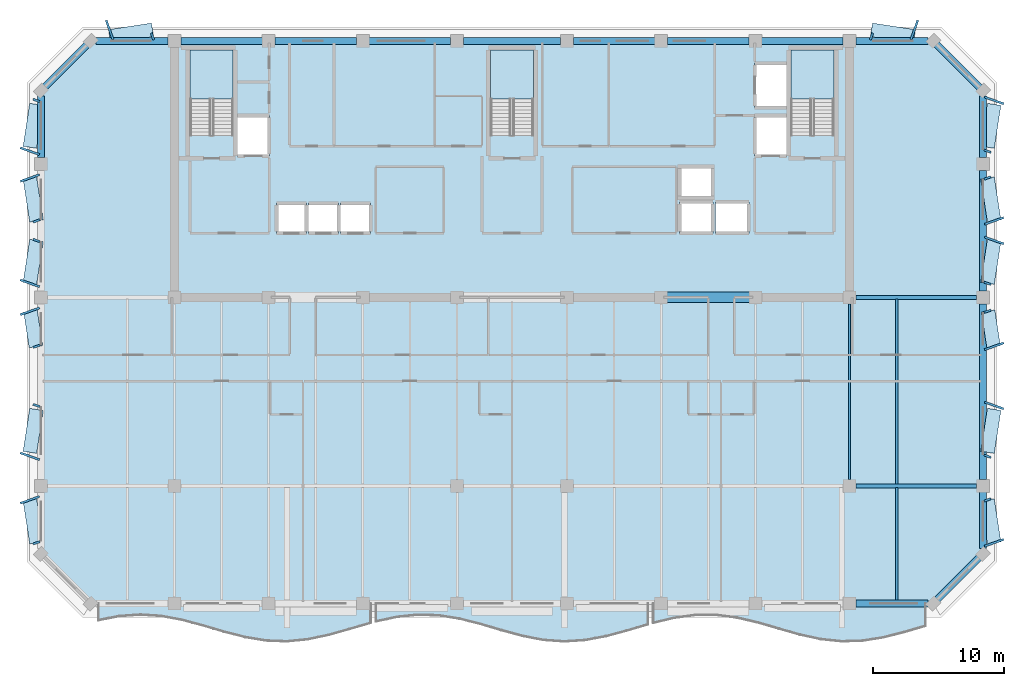
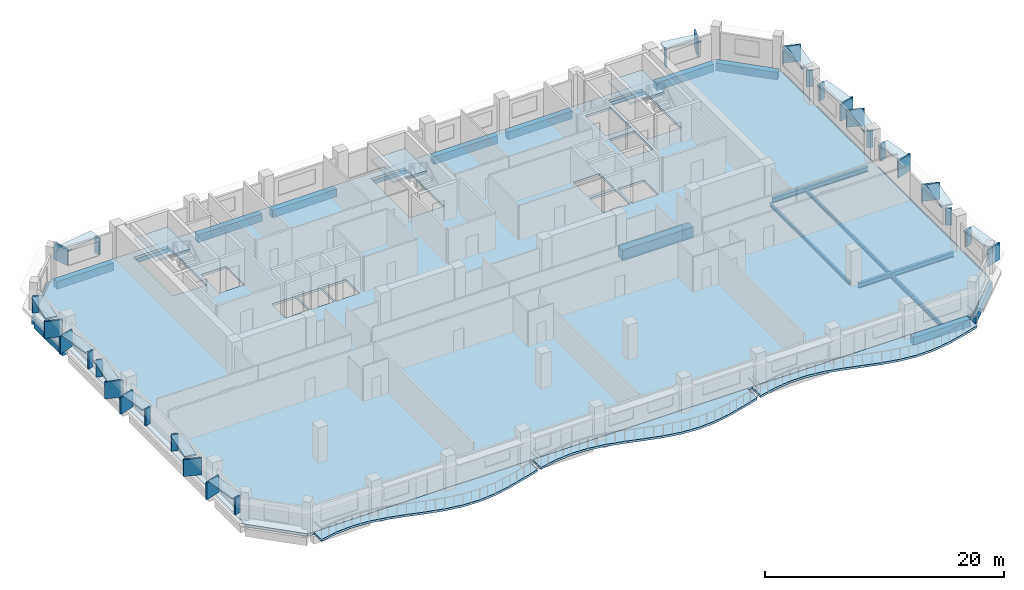
# One storey, part 2 of 11: 42 plates, 24 beams, 7 slabs, 3 elements without a shape of their own.
"""IFC4 building model written with IfcOpenShell, lengths in metres."""

from ifc_helpers import new_model, si_unit, direction, frame, origin, origin_2d, place, context, subcontext, project, spatial, polyline, rectangle, i_section, outline, extrude, material, layer, layer_set, material_profile, profile_set, type_object, element, aggregate, save


model = new_model("IFC4")

# Units and contexts
model_context = context("Model", 3, precision=1e-05, world=origin(), true_north=direction((0.0, 1.0)))
body_context = subcontext(model_context, "Body", "Model", "MODEL_VIEW")
ifc_project = project(units=[si_unit("LENGTHUNIT", "METRE"), si_unit("AREAUNIT", "SQUARE_METRE"), si_unit("VOLUMEUNIT", "CUBIC_METRE"), si_unit("PLANEANGLEUNIT", "RADIAN"), si_unit("MASSUNIT", "GRAM", prefix="KILO")], contexts=[model_context])

# Site, building, storey
site_placement = place(None, origin())
site = spatial("IfcSite", under=ifc_project, at=site_placement, CompositionType="ELEMENT")
building_placement = place(site_placement, origin())
building = spatial("IfcBuilding", under=site, at=building_placement, Name="Kaelvorn Grand Hotel", CompositionType="ELEMENT")
storey_placement = place(building_placement, frame((0.0, 0.0, 276.550048828125)))
storey = spatial("IfcBuildingStorey", under=building, at=storey_placement, Name="L68", CompositionType="ELEMENT", Elevation=276.550048828125)

# Beams
ifc_material_1 = material(Name="Steel S355", Category="steel")
ifc_material_profile_1 = material_profile(ifc_material_1, i_section(OverallWidth=0.300048828125, OverallDepth=0.5, WebThickness=0.014404296875, FlangeThickness=0.028076171875, FilletRadius=0.027099609375, at=origin_2d()), Name="HEB 500")
ifc_profile_set_1 = profile_set([ifc_material_profile_1], Name="Steel S355")
beam_type_1 = type_object("IfcBeamType", Name="BM-G-HEB500-S355", PredefinedType="BEAM", material=ifc_profile_set_1)
for number, where, z_axis, x_axis, name in (
    (1, (68.284912109375, 15.0, -0.489990234375), (1.0, 0.0, 0.0), (0.0, 1.0, 0.0), "L68 Primary Spine Steel Girder G-15 05"),
    (2, (68.284912109375, 29.39990234375, -0.489990234375), (1.0, 0.0, 0.0), (0.0, 1.0, 0.0), "L68 East Core Wing Steel Girder G-29E 01"),
):
    element("IfcBeam", number, at=place(storey_placement, frame(where, z_axis=z_axis, x_axis=x_axis)), inside=storey, type_object=beam_type_1, Name=name, PredefinedType="BEAM", context=body_context, shape_type="SweptSolid", body=[
        extrude(i_section(OverallWidth=0.300048828125, OverallDepth=0.5, WebThickness=0.014404296875, FlangeThickness=0.028076171875, FilletRadius=0.027099609375, at=origin_2d()), origin(), (0.0, 0.0, 1.0), 9.22998046875),
    ])
ifc_material_profile_2 = material_profile(ifc_material_1, i_section(OverallWidth=0.169921875, OverallDepth=0.360107421875, WebThickness=0.008056640625, FlangeThickness=0.0126953125, FilletRadius=0.01806640625, at=origin_2d()), Name="IPE 360")
ifc_profile_set_2 = profile_set([ifc_material_profile_2], Name="Steel S355")
beam_type_2 = type_object("IfcBeamType", Name="BM-J-IPE360-S355", PredefinedType="JOIST", material=ifc_profile_set_2)
beam_1_placement = place(storey_placement, frame((67.800048828125, 15.485107421875, -0.420166015625), z_axis=(0.0, 1.0, 0.0), x_axis=(-1.0, 0.0, 0.0)))
element("IfcBeam", 3, at=beam_1_placement, inside=storey, type_object=beam_type_2, Name="L68 Composite Floor Joist JM-19", PredefinedType="JOIST", context=body_context, shape_type="SweptSolid", body=[
    extrude(i_section(OverallWidth=0.169921875, OverallDepth=0.360107421875, WebThickness=0.008056640625, FlangeThickness=0.0126953125, FilletRadius=0.01806640625, at=origin_2d()), origin(), (0.0, 0.0, 1.0), 13.429931640625),
])
beam_2_placement = place(storey_placement, frame((71.39990234375, 15.135009765625, -0.420166015625), z_axis=(0.0, 1.0, 0.0), x_axis=(-1.0, 0.0, 0.0)))
element("IfcBeam", 4, at=beam_2_placement, inside=storey, type_object=beam_type_2, Name="L68 Composite Floor Joist JM-20", PredefinedType="JOIST", context=body_context, shape_type="SweptSolid", body=[
    extrude(i_section(OverallWidth=0.169921875, OverallDepth=0.360107421875, WebThickness=0.008056640625, FlangeThickness=0.0126953125, FilletRadius=0.01806640625, at=origin_2d()), origin(), (0.0, 0.0, 1.0), 14.1298828125),
])
ifc_material_profile_3 = material_profile(ifc_material_1, i_section(OverallWidth=0.18994140625, OverallDepth=0.449951171875, WebThickness=0.009521484375, FlangeThickness=0.0146484375, FilletRadius=0.02099609375, at=origin_2d()), Name="IPE 450")
ifc_profile_set_3 = profile_set([ifc_material_profile_3], Name="Steel S355")
beam_type_3 = type_object("IfcBeamType", Name="BM-J-IPE450-S355", PredefinedType="JOIST", material=ifc_profile_set_3)
beam_3_placement = place(storey_placement, frame((71.39990234375, 6.260009765625, -0.465087890625), z_axis=(0.0, 1.0, 0.0), x_axis=(-1.0, 0.0, 0.0)))
element("IfcBeam", 5, at=beam_3_placement, inside=storey, type_object=beam_type_3, Name="L68 Composite Floor Joist JS-20", PredefinedType="JOIST", context=body_context, shape_type="SweptSolid", body=[
    extrude(i_section(OverallWidth=0.18994140625, OverallDepth=0.449951171875, WebThickness=0.009521484375, FlangeThickness=0.0146484375, FilletRadius=0.02099609375, at=origin_2d()), origin(), (0.0, 0.0, 1.0), 8.60498046875),
])
ifc_material_2 = material(Name="Concrete C60/75", Category="concrete")
ifc_material_profile_4 = material_profile(ifc_material_2, rectangle(XDim=0.800048828125, YDim=1.10009765625, at=origin_2d()), Name="RC LINTEL 800x1100")
ifc_profile_set_4 = profile_set([ifc_material_profile_4], Name="Concrete C60/75")
beam_type_4 = type_object("IfcBeamType", Name="BM-LIN-800x1100-C60", PredefinedType="LINTEL", material=ifc_profile_set_4)
beam_4_placement = place(storey_placement, frame((53.580078125, 29.39990234375, -0.7900390625), z_axis=(1.0, 0.0, 0.0), x_axis=(0.0, 1.0, 0.0)))
element("IfcBeam", 6, at=beam_4_placement, inside=storey, type_object=beam_type_4, Name="L68 Rear-Core Coupling Lintel Beam CB1-03", PredefinedType="LINTEL", context=body_context, shape_type="SweptSolid", body=[
    extrude(rectangle(XDim=0.800048828125, YDim=1.10009765625, at=origin_2d()), origin(), (0.0, 0.0, 1.0), 6.83984375),
])
ifc_material_3 = material(Name="Concrete C50/60", Category="concrete")
ifc_material_profile_5 = material_profile(ifc_material_3, rectangle(XDim=0.550048828125, YDim=0.800048828125, at=origin_2d()), Name="RC SPANDREL 550x800")
ifc_profile_set_5 = profile_set([ifc_material_profile_5], Name="Concrete C50/60")
beam_type_5 = type_object("IfcBeamType", Name="BM-SP-550x800-C50", PredefinedType="SPANDREL", material=ifc_profile_set_5)
for number, where, z_axis, x_axis, name in (
    (7, (68.284912109375, 6.0, -0.64013671875), (1.0, 0.0, 0.0), (0.0, 1.0, 0.0), "L68 South Perimeter Spandrel 09"),
    (8, (10.205078125, 49.0, -0.64013671875), (1.0, 0.0, 0.0), (0.0, 1.0, 0.0), "L68 North Perimeter Spandrel 01"),
):
    element("IfcBeam", number, at=place(storey_placement, frame(where, z_axis=z_axis, x_axis=x_axis)), inside=storey, type_object=beam_type_5, Name=name, PredefinedType="SPANDREL", context=body_context, shape_type="SweptSolid", body=[
        extrude(rectangle(XDim=0.550048828125, YDim=0.800048828125, at=origin_2d()), origin(), (0.0, 0.0, 1.0), 5.510009765625),
    ])
for number, where, z_axis, x_axis, name in (
    (9, (16.68505859375, 49.0, -0.64013671875), (1.0, 0.0, 0.0), (0.0, 1.0, 0.0), "L68 North Perimeter Spandrel 02"),
    (10, (23.885009765625, 49.0, -0.64013671875), (1.0, 0.0, 0.0), (0.0, 1.0, 0.0), "L68 North Perimeter Spandrel 03"),
    (11, (31.0849609375, 49.0, -0.64013671875), (1.0, 0.0, 0.0), (0.0, 1.0, 0.0), "L68 North Perimeter Spandrel 04"),
):
    element("IfcBeam", number, at=place(storey_placement, frame(where, z_axis=z_axis, x_axis=x_axis)), inside=storey, type_object=beam_type_5, Name=name, PredefinedType="SPANDREL", context=body_context, shape_type="SweptSolid", body=[
        extrude(rectangle(XDim=0.550048828125, YDim=0.800048828125, at=origin_2d()), origin(), (0.0, 0.0, 1.0), 6.22998046875),
    ])
beam_5_placement = place(storey_placement, frame((38.284912109375, 49.0, -0.64013671875), z_axis=(1.0, 0.0, 0.0), x_axis=(0.0, 1.0, 0.0)))
element("IfcBeam", 12, at=beam_5_placement, inside=storey, type_object=beam_type_5, Name="L68 North Perimeter Spandrel 05", PredefinedType="SPANDREL", context=body_context, shape_type="SweptSolid", body=[
    extrude(rectangle(XDim=0.550048828125, YDim=0.800048828125, at=origin_2d()), origin(), (0.0, 0.0, 1.0), 7.43017578125),
])
for number, where, z_axis, x_axis, name in (
    (13, (46.68505859375, 49.0, -0.64013671875), (1.0, 0.0, 0.0), (0.0, 1.0, 0.0), "L68 North Perimeter Spandrel 06"),
    (14, (53.885009765625, 49.0, -0.64013671875), (1.0, 0.0, 0.0), (0.0, 1.0, 0.0), "L68 North Perimeter Spandrel 07"),
    (15, (61.0849609375, 49.0, -0.64013671875), (1.0, 0.0, 0.0), (0.0, 1.0, 0.0), "L68 North Perimeter Spandrel 08"),
):
    element("IfcBeam", number, at=place(storey_placement, frame(where, z_axis=z_axis, x_axis=x_axis)), inside=storey, type_object=beam_type_5, Name=name, PredefinedType="SPANDREL", context=body_context, shape_type="SweptSolid", body=[
        extrude(rectangle(XDim=0.550048828125, YDim=0.800048828125, at=origin_2d()), origin(), (0.0, 0.0, 1.0), 6.22998046875),
    ])
beam_6_placement = place(storey_placement, frame((68.284912109375, 49.0, -0.64013671875), z_axis=(1.0, 0.0, 0.0), x_axis=(0.0, 1.0, 0.0)))
element("IfcBeam", 16, at=beam_6_placement, inside=storey, type_object=beam_type_5, Name="L68 North Perimeter Spandrel 09", PredefinedType="SPANDREL", context=body_context, shape_type="SweptSolid", body=[
    extrude(rectangle(XDim=0.550048828125, YDim=0.800048828125, at=origin_2d()), origin(), (0.0, 0.0, 1.0), 5.510009765625),
])
beam_7_placement = place(storey_placement, frame((6.0, 40.0849609375, -0.64013671875), z_axis=(0.0, 1.0, 0.0), x_axis=(-1.0, 0.0, 0.0)))
element("IfcBeam", 17, at=beam_7_placement, inside=storey, type_object=beam_type_5, Name="L68 West Perimeter Spandrel 04", PredefinedType="SPANDREL", context=body_context, shape_type="SweptSolid", body=[
    extrude(rectangle(XDim=0.550048828125, YDim=0.800048828125, at=origin_2d()), origin(), (0.0, 0.0, 1.0), 4.7099609375),
])
beam_8_placement = place(storey_placement, frame((78.0, 10.205078125, -0.64013671875), z_axis=(0.0, 1.0, 0.0), x_axis=(-1.0, 0.0, 0.0)))
element("IfcBeam", 18, at=beam_8_placement, inside=storey, type_object=beam_type_5, Name="L68 East Perimeter Spandrel 01", PredefinedType="SPANDREL", context=body_context, shape_type="SweptSolid", body=[
    extrude(rectangle(XDim=0.550048828125, YDim=0.800048828125, at=origin_2d()), origin(), (0.0, 0.0, 1.0), 4.309814453125),
])
beam_9_placement = place(storey_placement, frame((78.0, 15.485107421875, -0.64013671875), z_axis=(0.0, 1.0, 0.0), x_axis=(-1.0, 0.0, 0.0)))
element("IfcBeam", 19, at=beam_9_placement, inside=storey, type_object=beam_type_5, Name="L68 East Perimeter Spandrel 02", PredefinedType="SPANDREL", context=body_context, shape_type="SweptSolid", body=[
    extrude(rectangle(XDim=0.550048828125, YDim=0.800048828125, at=origin_2d()), origin(), (0.0, 0.0, 1.0), 13.429931640625),
])
beam_10_placement = place(storey_placement, frame((78.0, 29.885009765625, -0.64013671875), z_axis=(0.0, 1.0, 0.0), x_axis=(-1.0, 0.0, 0.0)))
element("IfcBeam", 20, at=beam_10_placement, inside=storey, type_object=beam_type_5, Name="L68 East Perimeter Spandrel 03", PredefinedType="SPANDREL", context=body_context, shape_type="SweptSolid", body=[
    extrude(rectangle(XDim=0.550048828125, YDim=0.800048828125, at=origin_2d()), origin(), (0.0, 0.0, 1.0), 9.22998046875),
])
beam_11_placement = place(storey_placement, frame((78.0, 40.0849609375, -0.64013671875), z_axis=(0.0, 1.0, 0.0), x_axis=(-1.0, 0.0, 0.0)))
element("IfcBeam", 21, at=beam_11_placement, inside=storey, type_object=beam_type_5, Name="L68 East Perimeter Spandrel 04", PredefinedType="SPANDREL", context=body_context, shape_type="SweptSolid", body=[
    extrude(rectangle(XDim=0.550048828125, YDim=0.800048828125, at=origin_2d()), origin(), (0.0, 0.0, 1.0), 4.7099609375),
])
for number, where, z_axis, x_axis, name in (
    (22, (74.199951171875, 6.0, -0.64013671875), (0.707106781187, 0.707106781187, 0.0), (-0.707106781187, 0.707106781187, 0.0), "L68 Chamfer Spandrel Beam 1"),
    (23, (78.0, 45.199951171875, -0.64013671875), (-0.707106781187, 0.707106781187, 0.0), (-0.707106781187, -0.707106781187, 0.0), "L68 Chamfer Spandrel Beam 2"),
    (24, (9.800048828125, 49.0, -0.64013671875), (-0.707106781187, -0.707106781187, 0.0), (0.707106781187, -0.707106781187, 0.0), "L68 Chamfer Spandrel Beam 3"),
):
    element("IfcBeam", number, at=place(storey_placement, frame(where, z_axis=z_axis, x_axis=x_axis)), inside=storey, type_object=beam_type_5, Name=name, PredefinedType="SPANDREL", context=body_context, shape_type="SweptSolid", body=[
        extrude(rectangle(XDim=0.550048828125, YDim=0.800048828125, at=origin_2d()), origin(), (0.0, 0.0, 1.0), 5.3740234375),
    ])

# Plates
ifc_material_4 = material(Name="Precast concrete C45/55", Category="concrete")
ifc_layer_1 = layer(ifc_material_4, 0.159912109375)
ifc_layer_set_1 = layer_set([ifc_layer_1], Name="Precast concrete C45/55")
plate_type_1 = type_object("IfcPlateType", Name="PL-FRAME-DEEP-1550", PredefinedType="USERDEFINED", material=ifc_layer_set_1)
for number, where, z_axis, x_axis, name in (
    (25, (78.844970703125, 10.64501953125, 0.73974609375), (0.0, 0.0, 1.0), (-0.333806859234, 0.942641491092, 0.0), "L68 Tilted Precast Window Frame Fin L-E01"),
    (26, (78.844970703125, 21.139892578125, 0.81494140625), (0.0, 0.0, 1.0), (0.333806859234, 0.942641491092, 0.0), "L68 Tilted Precast Window Frame Fin R-E02"),
    (27, (78.844970703125, 25.659912109375, 0.73974609375), (0.0, 0.0, 1.0), (-0.333806859234, 0.942641491092, 0.0), "L68 Tilted Precast Window Frame Fin L-E03"),
    (28, (78.844970703125, 33.7548828125, 0.73974609375), (0.0, 0.0, 1.0), (0.333806859234, 0.942641491092, 0.0), "L68 Tilted Precast Window Frame Fin R-E04"),
    (29, (78.844970703125, 35.2451171875, 0.73974609375), (0.0, 0.0, 1.0), (-0.333806859234, 0.942641491092, 0.0), "L68 Tilted Precast Window Frame Fin L-E05"),
    (30, (78.844970703125, 44.455078125, 0.81494140625), (0.0, 0.0, 1.0), (0.333806859234, 0.942641491092, 0.0), "L68 Tilted Precast Window Frame Fin R-E06"),
    (31, (5.155029296875, 13.925048828125, 0.73974609375), (0.0, 0.0, 1.0), (-0.333806859234, 0.942641491092, 0.0), "L68 Tilted Precast Window Frame Fin R-W01"),
    (32, (5.155029296875, 17.260009765625, 0.81494140625), (0.0, 0.0, 1.0), (0.333806859234, 0.942641491092, 0.0), "L68 Tilted Precast Window Frame Fin L-W02"),
    (33, (5.155029296875, 28.340087890625, 0.73974609375), (0.0, 0.0, 1.0), (-0.333806859234, 0.942641491092, 0.0), "L68 Tilted Precast Window Frame Fin R-W03"),
    (34, (5.155029296875, 30.47509765625, 0.73974609375), (0.0, 0.0, 1.0), (0.333806859234, 0.942641491092, 0.0), "L68 Tilted Precast Window Frame Fin L-W04"),
    (35, (5.155029296875, 38.52490234375, 0.73974609375), (0.0, 0.0, 1.0), (-0.333806859234, 0.942641491092, 0.0), "L68 Tilted Precast Window Frame Fin R-W05"),
    (36, (5.155029296875, 40.574951171875, 0.81494140625), (0.0, 0.0, 1.0), (0.333806859234, 0.942641491092, 0.0), "L68 Tilted Precast Window Frame Fin L-W06"),
    (37, (11.2451171875, 49.844970703125, 0.73974609375), (0.0, 0.0, 1.0), (0.942641491092, 0.333806859234, 0.0), "L68 Tilted Precast Window Frame Fin L-N01"),
    (38, (72.7548828125, 49.844970703125, 0.73974609375), (0.0, 0.0, 1.0), (0.942641491092, -0.333806859234, 0.0), "L68 Tilted Precast Window Frame Fin R-N02"),
):
    element("IfcPlate", number, at=place(storey_placement, frame(where, z_axis=z_axis, x_axis=x_axis)), inside=storey, type_object=plate_type_1, Name=name, ObjectType="FLANGE_PLATE", PredefinedType="USERDEFINED", context=body_context, shape_type="SweptSolid", body=[
        extrude(rectangle(XDim=0.159912109375, YDim=1.550048828125, at=origin_2d()), origin(), (0.0, 0.0, 1.0), 1.719970703125),
    ])
ifc_layer_2 = layer(ifc_material_4, 0.159912109375)
ifc_layer_set_2 = layer_set([ifc_layer_2], Name="Precast concrete C45/55")
plate_type_2 = type_object("IfcPlateType", Name="PL-FRAME-HEAD-1050", PredefinedType="USERDEFINED", material=ifc_layer_set_2)
for number, where, z_axis, x_axis, name in (
    (39, (78.594970703125, 12.284912109375, 2.35009765625), (0.0, 0.0, 1.0), (-0.152554625759, 0.988295040036, 0.0), "L68 Precast Window Frame Head Hood H-E01"),
    (40, (78.594970703125, 19.199951171875, 2.5), (0.0, 0.0, 1.0), (0.152554625759, 0.988295040036, 0.0), "L68 Precast Window Frame Head Hood H-E02"),
):
    element("IfcPlate", number, at=place(storey_placement, frame(where, z_axis=z_axis, x_axis=x_axis)), inside=storey, type_object=plate_type_2, Name=name, ObjectType="FLANGE_PLATE", PredefinedType="USERDEFINED", context=body_context, shape_type="SweptSolid", body=[
        extrude(rectangle(XDim=3.320068359375, YDim=1.050048828125, at=origin_2d()), origin(), (0.0, 0.0, 1.0), 0.159912109375),
    ])
plate_1_placement = place(storey_placement, frame((78.594970703125, 27.0, 2.35009765625), z_axis=(0.0, 0.0, 1.0), x_axis=(-0.152554625759, 0.988295040036, 0.0)))
element("IfcPlate", 41, at=plate_1_placement, inside=storey, type_object=plate_type_2, Name="L68 Precast Window Frame Head Hood H-E03", ObjectType="FLANGE_PLATE", PredefinedType="USERDEFINED", context=body_context, shape_type="SweptSolid", body=[
    extrude(rectangle(XDim=2.760009765625, YDim=1.050048828125, at=origin_2d()), origin(), (0.0, 0.0, 1.0), 0.159912109375),
])
for number, where, z_axis, x_axis, name in (
    (42, (78.594970703125, 32.114990234375, 2.35009765625), (0.0, 0.0, 1.0), (0.152554625759, 0.988295040036, 0.0), "L68 Precast Window Frame Head Hood H-E04"),
    (43, (78.594970703125, 36.885009765625, 2.35009765625), (0.0, 0.0, 1.0), (-0.152554625759, 0.988295040036, 0.0), "L68 Precast Window Frame Head Hood H-E05"),
    (44, (78.594970703125, 42.514892578125, 2.5), (0.0, 0.0, 1.0), (0.152554625759, 0.988295040036, 0.0), "L68 Precast Window Frame Head Hood H-E06"),
    (45, (5.405029296875, 12.284912109375, 2.35009765625), (0.0, 0.0, 1.0), (-0.152554625759, 0.988295040036, 0.0), "L68 Precast Window Frame Head Hood H-W01"),
    (46, (5.405029296875, 19.199951171875, 2.5), (0.0, 0.0, 1.0), (0.152554625759, 0.988295040036, 0.0), "L68 Precast Window Frame Head Hood H-W02"),
):
    element("IfcPlate", number, at=place(storey_placement, frame(where, z_axis=z_axis, x_axis=x_axis)), inside=storey, type_object=plate_type_2, Name=name, ObjectType="FLANGE_PLATE", PredefinedType="USERDEFINED", context=body_context, shape_type="SweptSolid", body=[
        extrude(rectangle(XDim=3.320068359375, YDim=1.050048828125, at=origin_2d()), origin(), (0.0, 0.0, 1.0), 0.159912109375),
    ])
plate_2_placement = place(storey_placement, frame((5.405029296875, 27.0, 2.35009765625), z_axis=(0.0, 0.0, 1.0), x_axis=(-0.152554625759, 0.988295040036, 0.0)))
element("IfcPlate", 47, at=plate_2_placement, inside=storey, type_object=plate_type_2, Name="L68 Precast Window Frame Head Hood H-W03", ObjectType="FLANGE_PLATE", PredefinedType="USERDEFINED", context=body_context, shape_type="SweptSolid", body=[
    extrude(rectangle(XDim=2.760009765625, YDim=1.050048828125, at=origin_2d()), origin(), (0.0, 0.0, 1.0), 0.159912109375),
])
for number, where, z_axis, x_axis, name in (
    (48, (5.405029296875, 32.114990234375, 2.35009765625), (0.0, 0.0, 1.0), (0.152554625759, 0.988295040036, 0.0), "L68 Precast Window Frame Head Hood H-W04"),
    (49, (5.405029296875, 36.885009765625, 2.35009765625), (0.0, 0.0, 1.0), (-0.152554625759, 0.988295040036, 0.0), "L68 Precast Window Frame Head Hood H-W05"),
    (50, (5.405029296875, 42.514892578125, 2.5), (0.0, 0.0, 1.0), (0.152554625759, 0.988295040036, 0.0), "L68 Precast Window Frame Head Hood H-W06"),
    (51, (12.885009765625, 49.594970703125, 2.35009765625), (0.0, 0.0, 1.0), (0.988295040036, 0.152554625759, 0.0), "L68 Precast Window Frame Head Hood H-N01"),
    (52, (71.114990234375, 49.594970703125, 2.35009765625), (0.0, 0.0, 1.0), (0.988295040036, -0.152554625759, 0.0), "L68 Precast Window Frame Head Hood H-N02"),
):
    element("IfcPlate", number, at=place(storey_placement, frame(where, z_axis=z_axis, x_axis=x_axis)), inside=storey, type_object=plate_type_2, Name=name, ObjectType="FLANGE_PLATE", PredefinedType="USERDEFINED", context=body_context, shape_type="SweptSolid", body=[
        extrude(rectangle(XDim=3.320068359375, YDim=1.050048828125, at=origin_2d()), origin(), (0.0, 0.0, 1.0), 0.159912109375),
    ])
ifc_layer_3 = layer(ifc_material_4, 0.159912109375)
ifc_layer_set_3 = layer_set([ifc_layer_3], Name="Precast concrete C45/55")
plate_type_3 = type_object("IfcPlateType", Name="PL-FRAME-SHAL-550", PredefinedType="USERDEFINED", material=ifc_layer_set_3)
for number, where, z_axis, x_axis, name in (
    (53, (78.344970703125, 13.925048828125, 0.73974609375), (0.0, 0.0, 1.0), (-0.333806859234, 0.942641491092, 0.0), "L68 Tilted Precast Window Frame Fin R-E01"),
    (54, (78.344970703125, 17.260009765625, 0.81494140625), (0.0, 0.0, 1.0), (0.333806859234, 0.942641491092, 0.0), "L68 Tilted Precast Window Frame Fin L-E02"),
    (55, (78.344970703125, 28.340087890625, 0.73974609375), (0.0, 0.0, 1.0), (-0.333806859234, 0.942641491092, 0.0), "L68 Tilted Precast Window Frame Fin R-E03"),
    (56, (78.344970703125, 30.47509765625, 0.73974609375), (0.0, 0.0, 1.0), (0.333806859234, 0.942641491092, 0.0), "L68 Tilted Precast Window Frame Fin L-E04"),
    (57, (78.344970703125, 38.52490234375, 0.73974609375), (0.0, 0.0, 1.0), (-0.333806859234, 0.942641491092, 0.0), "L68 Tilted Precast Window Frame Fin R-E05"),
    (58, (78.344970703125, 40.574951171875, 0.81494140625), (0.0, 0.0, 1.0), (0.333806859234, 0.942641491092, 0.0), "L68 Tilted Precast Window Frame Fin L-E06"),
    (59, (5.655029296875, 10.64501953125, 0.73974609375), (0.0, 0.0, 1.0), (-0.333806859234, 0.942641491092, 0.0), "L68 Tilted Precast Window Frame Fin L-W01"),
    (60, (5.655029296875, 21.139892578125, 0.81494140625), (0.0, 0.0, 1.0), (0.333806859234, 0.942641491092, 0.0), "L68 Tilted Precast Window Frame Fin R-W02"),
    (61, (5.655029296875, 25.659912109375, 0.73974609375), (0.0, 0.0, 1.0), (-0.333806859234, 0.942641491092, 0.0), "L68 Tilted Precast Window Frame Fin L-W03"),
    (62, (5.655029296875, 33.7548828125, 0.73974609375), (0.0, 0.0, 1.0), (0.333806859234, 0.942641491092, 0.0), "L68 Tilted Precast Window Frame Fin R-W04"),
    (63, (5.655029296875, 35.2451171875, 0.73974609375), (0.0, 0.0, 1.0), (-0.333806859234, 0.942641491092, 0.0), "L68 Tilted Precast Window Frame Fin L-W05"),
    (64, (5.655029296875, 44.455078125, 0.81494140625), (0.0, 0.0, 1.0), (0.333806859234, 0.942641491092, 0.0), "L68 Tilted Precast Window Frame Fin R-W06"),
    (65, (14.52490234375, 49.344970703125, 0.73974609375), (0.0, 0.0, 1.0), (0.942641491092, 0.333806859234, 0.0), "L68 Tilted Precast Window Frame Fin R-N01"),
    (66, (69.47509765625, 49.344970703125, 0.73974609375), (0.0, 0.0, 1.0), (0.942641491092, -0.333806859234, 0.0), "L68 Tilted Precast Window Frame Fin L-N02"),
):
    element("IfcPlate", number, at=place(storey_placement, frame(where, z_axis=z_axis, x_axis=x_axis)), inside=storey, type_object=plate_type_3, Name=name, ObjectType="FLANGE_PLATE", PredefinedType="USERDEFINED", context=body_context, shape_type="SweptSolid", body=[
        extrude(rectangle(XDim=0.159912109375, YDim=0.550048828125, at=origin_2d()), origin(), (0.0, 0.0, 1.0), 1.719970703125),
    ])

# Slabs
ifc_material_5 = material(Name="Concrete C40/50", Category="concrete")
ifc_layer_4 = layer(ifc_material_5, 0.219970703125)
ifc_layer_set_4 = layer_set([ifc_layer_4], Name="Concrete C40/50")
slab_type_1 = type_object("IfcSlabType", Name="SLB-BALC-220-C40", PredefinedType="FLOOR", material=ifc_layer_set_4)
slab_1_placement = place(storey_placement, frame((0.0, 0.0, -0.219970703125)))
element("IfcSlab", 67, at=slab_1_placement, inside=storey, type_object=slab_type_1, Name="L68 Scalloped Wave Balcony Slab 1", PredefinedType="FLOOR", context=body_context, shape_type="SweptSolid", body=[
    extrude(outline(polyline([(10.39990234375, 4.7275390625), (12.0, 5.03564453125), (13.60009765625, 5.14990234375), (15.199951171875, 5.046142578125), (16.800048828125, 4.74658203125), (18.39990234375, 4.314697265625), (20.0, 3.842529296875), (21.60009765625, 3.430419921875), (23.199951171875, 3.166015625), (24.800048828125, 3.105712890625), (26.39990234375, 3.26220703125), (28.0, 3.602294921875), (29.60009765625, 4.053466796875), (31.199951171875, 4.52001953125), (31.199951171875, 6.0), (10.39990234375, 6.0), (10.39990234375, 4.7275390625)])), origin(), (0.0, 0.0, 1.0), 0.219970703125),
])
slab_2_placement = place(storey_placement, frame((0.0, 0.0, -0.219970703125)))
element("IfcSlab", 68, at=slab_2_placement, inside=storey, type_object=slab_type_1, Name="L68 Scalloped Wave Balcony Slab 2", PredefinedType="FLOOR", context=body_context, shape_type="SweptSolid", body=[
    extrude(outline(polyline([(31.60009765625, 4.627197265625), (33.199951171875, 4.974853515625), (34.800048828125, 5.1416015625), (36.39990234375, 5.09228515625), (38.0, 4.8369140625), (39.60009765625, 4.430419921875), (41.199951171875, 3.958740234375), (42.800048828125, 3.5224609375), (44.39990234375, 3.21435546875), (46.0, 3.10009765625), (47.60009765625, 3.203857421875), (49.199951171875, 3.50341796875), (50.800048828125, 3.935302734375), (52.39990234375, 4.407470703125), (52.39990234375, 6.0), (31.60009765625, 6.0), (31.60009765625, 4.627197265625)])), origin(), (0.0, 0.0, 1.0), 0.219970703125),
])
slab_3_placement = place(storey_placement, frame((0.0, 0.0, -0.219970703125)))
element("IfcSlab", 69, at=slab_3_placement, inside=storey, type_object=slab_type_1, Name="L68 Scalloped Wave Balcony Slab 3", PredefinedType="FLOOR", context=body_context, shape_type="SweptSolid", body=[
    extrude(outline(polyline([(52.800048828125, 4.52001953125), (54.39990234375, 4.902587890625), (56.0, 5.11962890625), (57.60009765625, 5.125), (59.199951171875, 4.917724609375), (60.800048828125, 4.5419921875), (62.39990234375, 4.077392578125), (64.0, 3.622802734375), (65.60009765625, 3.275146484375), (67.199951171875, 3.1083984375), (68.800048828125, 3.15771484375), (70.39990234375, 3.4130859375), (72.0, 3.819580078125), (73.60009765625, 4.291259765625), (73.60009765625, 6.0), (52.800048828125, 6.0), (52.800048828125, 4.52001953125)])), origin(), (0.0, 0.0, 1.0), 0.219970703125),
])
ifc_layer_5 = layer(ifc_material_5, 0.239990234375)
ifc_layer_set_5 = layer_set([ifc_layer_5], Name="Concrete C40/50")
slab_type_2 = type_object("IfcSlabType", Name="SLB-FLR-240-C40", PredefinedType="FLOOR", material=ifc_layer_set_5)
slab_4_placement = place(storey_placement, frame((0.0, 0.0, -0.239990234375)))
element("IfcSlab", 70, at=slab_4_placement, inside=storey, type_object=slab_type_2, Name="L68 Indoor Suspended Floor Slab", PredefinedType="FLOOR", context=body_context, shape_type="SweptSolid", body=[
    extrude(outline(polyline([(9.800048828125, 6.0), (74.199951171875, 6.0), (78.0, 9.800048828125), (78.0, 45.199951171875), (74.199951171875, 49.0), (9.800048828125, 49.0), (6.0, 45.199951171875), (6.0, 9.800048828125), (9.800048828125, 6.0)]), holes=[polyline([(17.39990234375, 41.760009765625), (17.39990234375, 48.300048828125), (20.679931640625, 48.300048828125), (20.679931640625, 41.760009765625), (17.39990234375, 41.760009765625)]), polyline([(40.360107421875, 41.760009765625), (40.360107421875, 48.300048828125), (43.639892578125, 48.300048828125), (43.639892578125, 41.760009765625), (40.360107421875, 41.760009765625)]), polyline([(63.320068359375, 41.760009765625), (63.320068359375, 48.300048828125), (66.60009765625, 48.300048828125), (66.60009765625, 41.760009765625), (63.320068359375, 41.760009765625)]), polyline([(24.0, 34.300048828125), (24.0, 36.60009765625), (26.300048828125, 36.60009765625), (26.300048828125, 34.300048828125), (24.0, 34.300048828125)]), polyline([(26.449951171875, 34.300048828125), (26.449951171875, 36.60009765625), (28.75, 36.60009765625), (28.75, 34.300048828125), (26.449951171875, 34.300048828125)]), polyline([(28.89990234375, 34.300048828125), (28.89990234375, 36.60009765625), (31.199951171875, 36.60009765625), (31.199951171875, 34.300048828125), (28.89990234375, 34.300048828125)]), polyline([(54.800048828125, 34.300048828125), (54.800048828125, 36.699951171875), (57.35009765625, 36.699951171875), (57.35009765625, 34.300048828125), (54.800048828125, 34.300048828125)]), polyline([(57.550048828125, 34.300048828125), (57.550048828125, 36.699951171875), (60.10009765625, 36.699951171875), (60.10009765625, 34.300048828125), (57.550048828125, 34.300048828125)]), polyline([(54.800048828125, 37.0), (54.800048828125, 39.39990234375), (57.35009765625, 39.39990234375), (57.35009765625, 37.0), (54.800048828125, 37.0)]), polyline([(21.0, 40.199951171875), (21.0, 43.300048828125), (23.449951171875, 43.300048828125), (23.449951171875, 40.199951171875), (21.0, 40.199951171875)]), polyline([(60.550048828125, 40.199951171875), (60.550048828125, 43.300048828125), (63.0, 43.300048828125), (63.0, 40.199951171875), (60.550048828125, 40.199951171875)]), polyline([(60.550048828125, 43.89990234375), (60.550048828125, 47.300048828125), (63.0, 47.300048828125), (63.0, 43.89990234375), (60.550048828125, 43.89990234375)])]), origin(), (0.0, 0.0, 1.0), 0.239990234375),
])

# Stair, slab
stair_type = type_object("IfcStairType", Name="STR-DOG-1560-R09", PredefinedType="HALF_TURN_STAIR", material=ifc_material_5)
stair_1_placement = place(storey_placement, origin())
stair_1 = element("IfcStair", 71, at=stair_1_placement, inside=storey, type_object=stair_type, Name="L68 West Core Exit Stair ST1", PredefinedType="HALF_TURN_STAIR")
ifc_layer_6 = layer(ifc_material_5, 0.199951171875)
ifc_layer_set_6 = layer_set([ifc_layer_6], Name="Concrete C40/50")
slab_type_3 = type_object("IfcSlabType", Name="SLB-LAND-200-C40", PredefinedType="LANDING", material=ifc_layer_set_6)
slab_5_placement = place(storey_placement, frame((0.0, 0.0, 1.77490234375)))
slab_5 = element("IfcSlab", 72, at=slab_5_placement, type_object=slab_type_3, Name="ST1 landing 1", PredefinedType="LANDING", context=body_context, shape_type="SweptSolid", body=[
    extrude(outline(polyline([(20.679931640625, 44.56005859375), (20.679931640625, 48.300048828125), (17.39990234375, 48.300048828125), (17.39990234375, 44.56005859375), (20.679931640625, 44.56005859375)])), origin(), (0.0, 0.0, 1.0), 0.199951171875),
])
aggregate(stair_1, [slab_5])

stair_2_placement = place(storey_placement, origin())
stair_2 = element("IfcStair", 73, at=stair_2_placement, inside=storey, type_object=stair_type, Name="L68 Central Core Exit Stair ST2", PredefinedType="HALF_TURN_STAIR")
slab_6_placement = place(storey_placement, frame((0.0, 0.0, 1.77490234375)))
slab_6 = element("IfcSlab", 74, at=slab_6_placement, type_object=slab_type_3, Name="ST2 landing 1", PredefinedType="LANDING", context=body_context, shape_type="SweptSolid", body=[
    extrude(outline(polyline([(43.639892578125, 44.56005859375), (43.639892578125, 48.300048828125), (40.360107421875, 48.300048828125), (40.360107421875, 44.56005859375), (43.639892578125, 44.56005859375)])), origin(), (0.0, 0.0, 1.0), 0.199951171875),
])
aggregate(stair_2, [slab_6])

stair_3_placement = place(storey_placement, origin())
stair_3 = element("IfcStair", 75, at=stair_3_placement, inside=storey, type_object=stair_type, Name="L68 East Core Exit Stair ST3", PredefinedType="HALF_TURN_STAIR")
slab_7_placement = place(storey_placement, frame((0.0, 0.0, 1.77490234375)))
slab_7 = element("IfcSlab", 76, at=slab_7_placement, type_object=slab_type_3, Name="ST3 landing 1", PredefinedType="LANDING", context=body_context, shape_type="SweptSolid", body=[
    extrude(outline(polyline([(66.60009765625, 44.56005859375), (66.60009765625, 48.300048828125), (63.320068359375, 48.300048828125), (63.320068359375, 44.56005859375), (66.60009765625, 44.56005859375)])), origin(), (0.0, 0.0, 1.0), 0.199951171875),
])
aggregate(stair_3, [slab_7])

save(model, "model.ifc")
